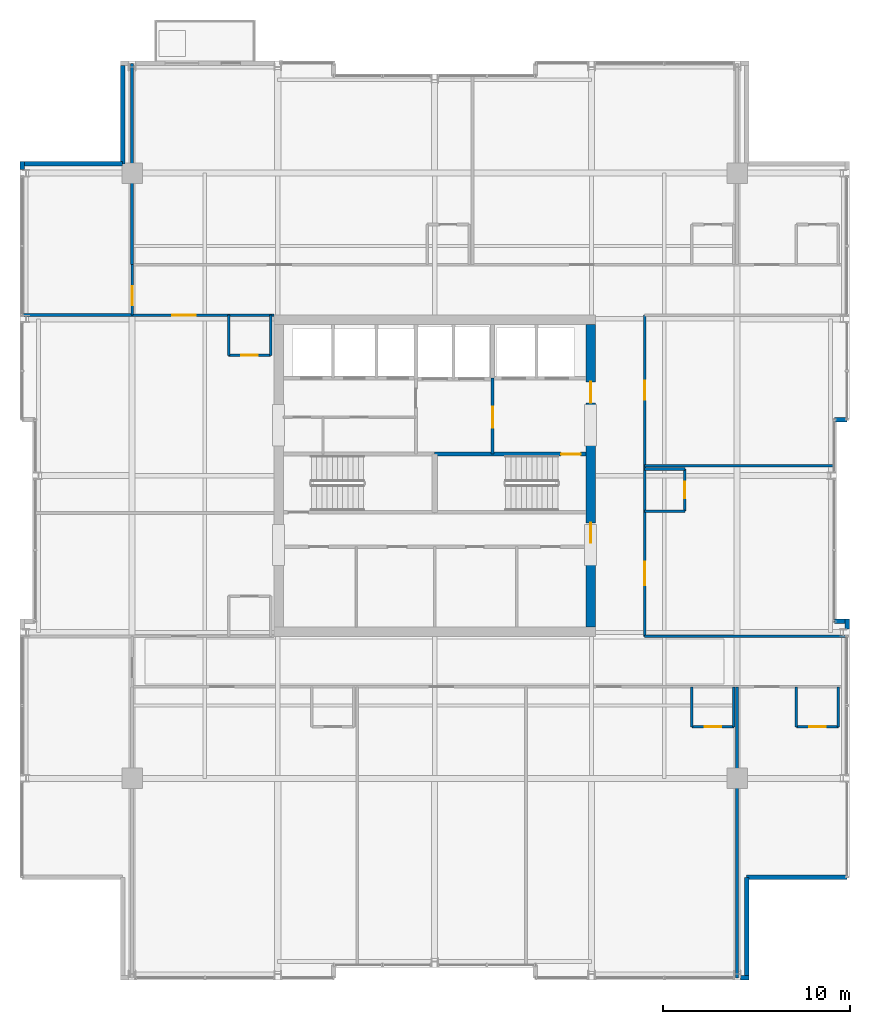
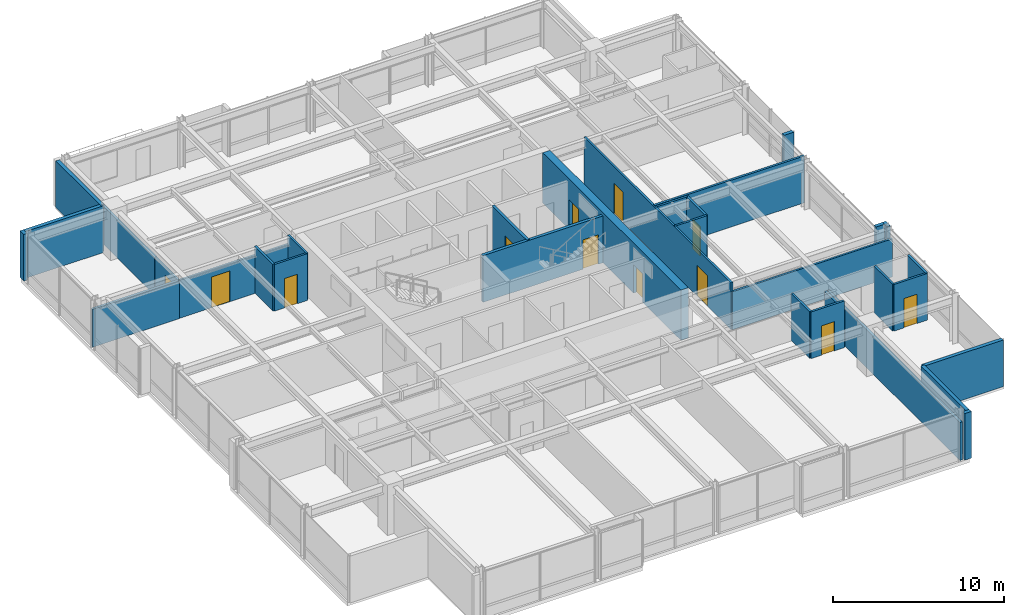
# One storey, part 26 of 30: 32 walls, 12 doors, 12 openings.
"""IFC4 building model written with IfcOpenShell, lengths in metres."""

import ifcopenshell
import ifcopenshell.guid

model = None  # the IFC model being written
_history = None  # IfcOwnerHistory: only IFC2X3 demands one
_inside = {}  # id of a spatial element -> (the spatial element, [elements in it])
_under = {}  # id of a project, library or spatial element -> (it, [spatial elements below it])
_declared = {}  # id of a project -> (the project, [libraries it declares])
_typed = {}  # id of a type object -> (the type object, [elements of that type])
_made_of = {}  # id of a material, layer set ... -> (it, [elements and type objects made of it])


def new_model(schema):
    """Start an empty IFC model of exactly this schema.

    Asked for "IFC4X3", IfcOpenShell would pick the latest addendum, in which some entities
    have other attributes; the version numbers below select the first issue.
    IFC2X3 requires an IfcOwnerHistory on every rooted entity: one is made here for all.
    """
    global model, _history
    if schema == "IFC4X3":
        model = ifcopenshell.file(schema_version=(4, 3, 0, 0))
    else:
        model = ifcopenshell.file(schema=schema)
    _inside.clear()
    _under.clear()
    _declared.clear()
    _typed.clear()
    _made_of.clear()
    _history = None
    if model.schema == "IFC2X3":
        org = make("IfcOrganization", Name="unknown")
        user = make(
            "IfcPersonAndOrganization",
            ThePerson=make("IfcPerson", FamilyName="unknown"),
            TheOrganization=org,
        )
        app = make(
            "IfcApplication",
            ApplicationDeveloper=org,
            Version="unknown",
            ApplicationFullName="unknown",
            ApplicationIdentifier="unknown",
        )
        _history = make(
            "IfcOwnerHistory",
            OwningUser=user,
            OwningApplication=app,
            ChangeAction="ADDED",
            CreationDate=0,
        )
    return model


def make(cls, **values):
    """One entity of the class cls with the attributes given. An attribute that is None is left unset."""
    return model.create_entity(
        cls, **{name: value for name, value in values.items() if value is not None}
    )


def rooted(cls, **values):
    """An entity with a GlobalId (a new one), such as an element, a storey or a relation."""
    return make(cls, GlobalId=ifcopenshell.guid.new(), OwnerHistory=_history, **values)


def si_unit(unit_type, name, prefix=None):
    """IfcSIUnit, for example si_unit("LENGTHUNIT", "METRE", prefix="MILLI")."""
    return make("IfcSIUnit", UnitType=unit_type, Prefix=prefix, Name=name)


def assignment(units):
    """IfcUnitAssignment: the units of a project."""
    return None if units is None else make("IfcUnitAssignment", Units=units)


def point(xyz):
    """IfcCartesianPoint."""
    return None if xyz is None else make("IfcCartesianPoint", Coordinates=xyz)


def direction(xyz):
    """IfcDirection."""
    return None if xyz is None else make("IfcDirection", DirectionRatios=xyz)


def frame(location, z_axis=None, x_axis=None):
    """IfcAxis2Placement3D, a coordinate frame: its origin and axes. An axis left out is left unset."""
    return make(
        "IfcAxis2Placement3D",
        Location=point(location),
        Axis=direction(z_axis),
        RefDirection=direction(x_axis),
    )


def frame_2d(location, x_axis=None):
    """IfcAxis2Placement2D, a coordinate frame in the plane: its origin and x axis."""
    return make(
        "IfcAxis2Placement2D", Location=point(location), RefDirection=direction(x_axis)
    )


def origin():
    """The frame at (0, 0, 0) with its axes left unset."""
    return frame((0.0, 0.0, 0.0))


def place(relative_to, where):
    """IfcLocalPlacement: puts the frame where relative to a parent placement (None: the world)."""
    return make(
        "IfcLocalPlacement", PlacementRelTo=relative_to, RelativePlacement=where
    )


def context(
    kind, dimensions, precision=None, world=None, true_north=None, identifier=None
):
    """IfcGeometricRepresentationContext, for example the 3D "Model" context."""
    return make(
        "IfcGeometricRepresentationContext",
        ContextIdentifier=identifier,
        ContextType=kind,
        CoordinateSpaceDimension=dimensions,
        Precision=precision,
        WorldCoordinateSystem=world,
        TrueNorth=true_north,
    )


def subcontext(parent, identifier, kind, view, scale=None):
    """IfcGeometricRepresentationSubContext, for example "Body" below "Model"."""
    return make(
        "IfcGeometricRepresentationSubContext",
        ContextIdentifier=identifier,
        ContextType=kind,
        ParentContext=parent,
        TargetScale=scale,
        TargetView=view,
    )


def project(units=None, contexts=None):
    """IfcProject with its units and contexts."""
    return rooted(
        "IfcProject",
        Name="project",
        RepresentationContexts=contexts,
        UnitsInContext=assignment(units),
    )


def spatial(cls, under=None, at=None, **own):
    """A site, building, storey or space (cls), placed at a placement, below another one or the project."""
    s = rooted(cls, ObjectPlacement=at, **own)
    if under is not None:
        _under.setdefault(under.id(), (under, []))[1].append(s)
    return s


def profile(cls, at=None, kind="AREA", **sizes):
    """A parametric profile (cls). Its sizes go by their IFC names, for example OverallWidth=200.0."""
    return make(cls, ProfileType=kind, Position=at, **sizes)


def rectangle(**sizes):
    """IfcRectangleProfileDef."""
    return profile("IfcRectangleProfileDef", **sizes)


def extrude(swept, where, along, depth):
    """IfcExtrudedAreaSolid: the profile swept, set in the frame where, extruded along a direction by depth."""
    return make(
        "IfcExtrudedAreaSolid",
        SweptArea=swept,
        Position=where,
        ExtrudedDirection=direction(along),
        Depth=depth,
    )


def shape(context_of_items, identifier, shape_type, items):
    """IfcShapeRepresentation: the items that make up one representation, for example the "Body"."""
    return make(
        "IfcShapeRepresentation",
        ContextOfItems=context_of_items,
        RepresentationIdentifier=identifier,
        RepresentationType=shape_type,
        Items=items,
    )


def material(Name=None, Category=None):
    """IfcMaterial."""
    return make("IfcMaterial", Name=Name, Category=Category)


def layer(
    of_material, thickness, ventilated=None, Name=None, Category=None, Priority=None
):
    """IfcMaterialLayer: one layer of a wall or slab, of a material (None: an air gap)."""
    return make(
        "IfcMaterialLayer",
        Material=of_material,
        LayerThickness=thickness,
        IsVentilated=ventilated,
        Name=Name,
        Category=Category,
        Priority=Priority,
    )


def layer_set(layers, Name=None):
    """IfcMaterialLayerSet."""
    return make("IfcMaterialLayerSet", MaterialLayers=layers, LayerSetName=Name)


def made_of(thing, what):
    """Note that an element or type object is made of a material, layer set ...; save() writes the relation."""
    if what is not None:
        _made_of.setdefault(what.id(), (what, []))[1].append(thing)
    return thing


def type_object(cls, material=None, **own):
    """A type object (cls), such as IfcWallType, which elements share."""
    return made_of(rooted(cls, **own), material)


def element(
    cls,
    number,
    at=None,
    inside=None,
    cuts=None,
    type_object=None,
    material=None,
    context=None,
    identifier="Body",
    shape_type=None,
    held_by="IfcProductDefinitionShape",
    body=None,
    shapes=None,
    **own,
):
    """One element of the class cls, such as IfcWall. Its Tag is "e" and its number.

    at: its placement. inside: the storey or other place that contains it. cuts: it is an
    opening in that element (IfcRelVoidsElement). A single representation is given by context,
    identifier, shape_type and body (its items); several are given by shapes. held_by: the class
    of the entity that holds the representations. save() writes the other relations.
    """
    e = rooted(cls, Tag="e%d" % number, ObjectPlacement=at, **own)
    if body is not None:
        shapes = [shape(context, identifier, shape_type, body)]
    if shapes is not None:
        e.Representation = make(held_by, Representations=shapes)
    if inside is not None:
        _inside.setdefault(inside.id(), (inside, []))[1].append(e)
    if cuts is not None:
        rooted(
            "IfcRelVoidsElement", RelatingBuildingElement=cuts, RelatedOpeningElement=e
        )
    if type_object is not None:
        _typed.setdefault(type_object.id(), (type_object, []))[1].append(e)
    return made_of(e, material)


def fill(opening, filler):
    """IfcRelFillsElement: the door or window that sits in an opening."""
    return rooted(
        "IfcRelFillsElement",
        RelatingOpeningElement=opening,
        RelatedBuildingElement=filler,
    )


def aggregate(whole, parts):
    """IfcRelAggregates: a whole, such as a stair, and the parts it consists of."""
    return rooted("IfcRelAggregates", RelatingObject=whole, RelatedObjects=parts)


def save(model, path):
    """Write the relations noted so far, then the file.

    IfcRelAggregates (storeys below a building ...), IfcRelContainedInSpatialStructure (elements
    in a storey), IfcRelDefinesByType, IfcRelAssociatesMaterial and IfcRelDeclares: one each for
    every whole, place, type object, material and project.
    """
    for whole, parts in _under.values():
        aggregate(whole, parts)
    for where, things in _inside.values():
        rooted(
            "IfcRelContainedInSpatialStructure",
            RelatedElements=things,
            RelatingStructure=where,
        )
    for kind, things in _typed.values():
        rooted("IfcRelDefinesByType", RelatedObjects=things, RelatingType=kind)
    for what, things in _made_of.values():
        rooted("IfcRelAssociatesMaterial", RelatedObjects=things, RelatingMaterial=what)
    for by, libraries in _declared.values():
        rooted("IfcRelDeclares", RelatingContext=by, RelatedDefinitions=libraries)
    model.write(path)


model = new_model("IFC4")

# Units and contexts
model_context = context("Model", 3, precision=1e-05, world=origin(), true_north=direction((0.0, 1.0)))
body_context = subcontext(model_context, "Body", "Model", "MODEL_VIEW")
ifc_project = project(units=[si_unit("LENGTHUNIT", "METRE"), si_unit("AREAUNIT", "SQUARE_METRE"), si_unit("VOLUMEUNIT", "CUBIC_METRE"), si_unit("PLANEANGLEUNIT", "RADIAN"), si_unit("MASSUNIT", "GRAM", prefix="KILO")], contexts=[model_context])

# Site, building, storey
site_placement = place(None, origin())
site = spatial("IfcSite", under=ifc_project, at=site_placement, CompositionType="ELEMENT")
building_placement = place(site_placement, origin())
building = spatial("IfcBuilding", under=site, at=building_placement, Name="Drelvath Grand Hotel", CompositionType="ELEMENT")
storey_placement = place(building_placement, frame((0.0, 0.0, 215.89990234375)))
storey = spatial("IfcBuildingStorey", under=building, at=storey_placement, Name="L56", CompositionType="ELEMENT", Elevation=215.89990234375)

# Wall, opening, door
ifc_material_1 = material(Name="Concrete C40/50", Category="concrete")
ifc_layer_1 = layer(ifc_material_1, 0.199951171875)
ifc_layer_set_1 = layer_set([ifc_layer_1], Name="Concrete C40/50")
wall_type_1 = type_object("IfcWallType", Name="Core Shaft Fire Wall 200", PredefinedType="SOLIDWALL", material=ifc_layer_set_1)
wall_1_placement = place(storey_placement, frame((8.10009765625, 28.159912109375, 0.0), z_axis=(0.0, 0.0, 1.0), x_axis=(-1.0, 0.0, 0.0)))
wall_1 = element("IfcWall", 1, at=wall_1_placement, inside=storey, type_object=wall_type_1, Name="L56 Stair ST-2 North Wall", PredefinedType="SOLIDWALL", context=body_context, shape_type="SweptSolid", body=[
    extrude(rectangle(XDim=8.10009765625, YDim=0.199951171875, at=frame_2d((4.050048828125, 0.0))), origin(), (0.0, 0.0, 1.0), 3.340087890625),
])
opening_1_placement = place(wall_1_placement, frame((0.280029296875, 0.0, 0.0)))
opening_1 = element("IfcOpeningElement", 2, at=opening_1_placement, cuts=wall_1, Name="Opening D-T4G2-002", PredefinedType="OPENING", context=body_context, shape_type="SweptSolid", body=[
    extrude(rectangle(XDim=1.050048828125, YDim=2.10009765625, at=frame_2d((0.52490234375, 1.050048828125))), frame((0.0, 0.10986328125, 0.0), z_axis=(0.0, -1.0, 0.0), x_axis=(1.0, 0.0, 0.0)), (0.0, 0.0, 1.0), 0.219970703125),
])
ifc_material_2 = material(Name="Painted Steel S275", Category="steel")
door_type_1 = type_object("IfcDoorType", Name="Tower Stairwell Fire Door 1050x2100", OperationType="NOTDEFINED", PredefinedType="DOOR", material=ifc_material_2)
door_1_placement = place(opening_1_placement, origin())
door_1 = element("IfcDoor", 3, at=door_1_placement, inside=storey, type_object=door_type_1, Name="L56 Exit Stair ST-2 Door", OperationType="SINGLE_SWING_LEFT", OverallHeight=2.10009765625, OverallWidth=1.050048828125, PredefinedType="DOOR", context=body_context, shape_type="SweptSolid", body=[
    extrude(rectangle(XDim=1.050048828125, YDim=2.10009765625, at=frame_2d((0.52490234375, 1.050048828125))), frame((0.0, 0.02490234375, 0.0), z_axis=(0.0, -1.0, 0.0), x_axis=(1.0, 0.0, 0.0)), (0.0, 0.0, 1.0), 0.050048828125),
])
fill(opening_1, door_1)

# Wall
ifc_material_3 = material(Name="Gypsum Fireboard Partition")
ifc_layer_2 = layer(ifc_material_3, 0.135009765625)
ifc_layer_set_2 = layer_set([ifc_layer_2], Name="Gypsum Fireboard Partition")
wall_type_2 = type_object("IfcWallType", Name="Corridor Fire Barrier Wall 135", PredefinedType="PARTITIONING", material=ifc_layer_set_2)
wall_2_placement = place(storey_placement, frame((11.25, 18.39990234375, 0.0), z_axis=(0.0, 0.0, 1.0), x_axis=(1.0, 0.0, 0.0)))
element("IfcWall", 4, at=wall_2_placement, inside=storey, type_object=wall_type_2, Name="L56 South Gallery Inner East Wall", PredefinedType="PARTITIONING", context=body_context, shape_type="SweptSolid", body=[
    extrude(rectangle(XDim=10.830078125, YDim=0.135009765625, at=frame_2d((5.4150390625, 0.0))), origin(), (0.0, 0.0, 1.0), 2.717529296875),
])

# Wall, opening, door
wall_3_placement = place(storey_placement, frame((-16.199951171875, 35.60009765625, 0.0), z_axis=(0.0, 0.0, 1.0), x_axis=(1.0, 0.0, 0.0)))
wall_3 = element("IfcWall", 5, at=wall_3_placement, inside=storey, type_object=wall_type_2, Name="L56 North Gallery Inner West Wall", PredefinedType="PARTITIONING", context=body_context, shape_type="SweptSolid", body=[
    extrude(rectangle(XDim=7.599853515625, YDim=0.135009765625, at=frame_2d((3.7998046875, 0.0))), origin(), (0.0, 0.0, 1.0), 2.717529296875),
])
opening_2_placement = place(wall_3_placement, frame((2.155029296875, 0.0, 0.0)))
opening_2 = element("IfcOpeningElement", 6, at=opening_2_placement, cuts=wall_3, Name="Opening D-T4G2-041", PredefinedType="OPENING", context=body_context, shape_type="SweptSolid", body=[
    extrude(rectangle(XDim=1.260009765625, YDim=2.199951171875, at=frame_2d((0.6298828125, 1.10009765625))), frame((0.0, 0.077392578125, 0.0), z_axis=(0.0, -1.0, 0.0), x_axis=(1.0, 0.0, 0.0)), (0.0, 0.0, 1.0), 0.155029296875),
])
ifc_material_4 = material(Name="Hardwood Walnut Timber", Category="wood")
door_type_2 = type_object("IfcDoorType", Name="Suite Entrance Fire Door 1260x2200", OperationType="NOTDEFINED", PredefinedType="DOOR", material=ifc_material_4)
door_2_placement = place(opening_2_placement, origin())
door_2 = element("IfcDoor", 7, at=door_2_placement, inside=storey, type_object=door_type_2, Name="L56 Diplomatic Suite Entry Door", OperationType="SINGLE_SWING_RIGHT", OverallHeight=2.199951171875, OverallWidth=1.260009765625, PredefinedType="DOOR", context=body_context, shape_type="SweptSolid", body=[
    extrude(rectangle(XDim=1.260009765625, YDim=2.199951171875, at=frame_2d((0.6298828125, 1.10009765625))), frame((0.0, 0.02490234375, 0.0), z_axis=(0.0, -1.0, 0.0), x_axis=(1.0, 0.0, 0.0)), (0.0, 0.0, 1.0), 0.050048828125),
])
fill(opening_2, door_2)

# Wall, openings, doors
wall_4_placement = place(storey_placement, frame((11.25, 18.39990234375, 0.0), z_axis=(0.0, 0.0, 1.0), x_axis=(0.0, 1.0, 0.0)))
wall_4 = element("IfcWall", 8, at=wall_4_placement, inside=storey, type_object=wall_type_2, Name="L56 East Gallery Link Wall", PredefinedType="PARTITIONING", context=body_context, shape_type="SweptSolid", body=[
    extrude(rectangle(XDim=17.2001953125, YDim=0.135009765625, at=frame_2d((8.60009765625, 0.0))), origin(), (0.0, 0.0, 1.0), 3.340087890625),
])
opening_3_placement = place(wall_4_placement, frame((2.723876953125, 0.0, 0.0)))
opening_3 = element("IfcOpeningElement", 9, at=opening_3_placement, cuts=wall_4, Name="Opening D-T4G2-036", PredefinedType="OPENING", context=body_context, shape_type="SweptSolid", body=[
    extrude(rectangle(XDim=1.260009765625, YDim=2.199951171875, at=frame_2d((0.6298828125, 1.10009765625))), frame((0.0, 0.077392578125, 0.0), z_axis=(0.0, -1.0, 0.0), x_axis=(1.0, 0.0, 0.0)), (0.0, 0.0, 1.0), 0.155029296875),
])
opening_4_placement = place(wall_4_placement, frame((12.65869140625, 0.0, 0.0)))
opening_4 = element("IfcOpeningElement", 10, at=opening_4_placement, cuts=wall_4, Name="Opening D-T4G2-037", PredefinedType="OPENING", context=body_context, shape_type="SweptSolid", body=[
    extrude(rectangle(XDim=1.02001953125, YDim=2.14990234375, at=frame_2d((0.510009765625, 1.074951171875))), frame((0.0, 0.077392578125, 0.0), z_axis=(0.0, -1.0, 0.0), x_axis=(1.0, 0.0, 0.0)), (0.0, 0.0, 1.0), 0.155029296875),
])
door_type_3 = type_object("IfcDoorType", Name="Amenity Meeting Fire Door 1020x2150", OperationType="NOTDEFINED", PredefinedType="DOOR", material=ifc_material_4)
door_3_placement = place(opening_4_placement, origin())
door_3 = element("IfcDoor", 11, at=door_3_placement, inside=storey, type_object=door_type_3, Name="L56 Protocol Administration Office Entry Door", OperationType="SINGLE_SWING_RIGHT", OverallHeight=2.14990234375, OverallWidth=1.02001953125, PredefinedType="DOOR", context=body_context, shape_type="SweptSolid", body=[
    extrude(rectangle(XDim=1.02001953125, YDim=2.14990234375, at=frame_2d((0.510009765625, 1.074951171875))), frame((0.0, 0.02490234375, 0.0), z_axis=(0.0, -1.0, 0.0), x_axis=(1.0, 0.0, 0.0)), (0.0, 0.0, 1.0), 0.050048828125),
])
fill(opening_4, door_3)
door_4_placement = place(opening_3_placement, origin())
door_4 = element("IfcDoor", 12, at=door_4_placement, inside=storey, type_object=door_type_2, Name="L56 Diplomatic Suite Entry Door", OperationType="SINGLE_SWING_LEFT", OverallHeight=2.199951171875, OverallWidth=1.260009765625, PredefinedType="DOOR", context=body_context, shape_type="SweptSolid", body=[
    extrude(rectangle(XDim=1.260009765625, YDim=2.199951171875, at=frame_2d((0.6298828125, 1.10009765625))), frame((0.0, 0.02490234375, 0.0), z_axis=(0.0, -1.0, 0.0), x_axis=(1.0, 0.0, 0.0)), (0.0, 0.0, 1.0), 0.050048828125),
])
fill(opening_3, door_4)

# Wall, opening, door
wall_5_placement = place(storey_placement, frame((-16.199951171875, 35.60009765625, 0.0), z_axis=(0.0, 0.0, 1.0), x_axis=(0.0, 1.0, 0.0)))
wall_5 = element("IfcWall", 13, at=wall_5_placement, inside=storey, type_object=wall_type_2, Name="L56 North Gallery West End", PredefinedType="PARTITIONING", context=body_context, shape_type="SweptSolid", body=[
    extrude(rectangle(XDim=2.699951171875, YDim=0.135009765625, at=frame_2d((1.35009765625, 0.0))), origin(), (0.0, 0.0, 1.0), 2.7138671875),
])
opening_5_placement = place(wall_5_placement, frame((0.52001953125, 0.0, 0.0)))
opening_5 = element("IfcOpeningElement", 14, at=opening_5_placement, cuts=wall_5, Name="Opening D-T4G2-021", PredefinedType="OPENING", context=body_context, shape_type="SweptSolid", body=[
    extrude(rectangle(XDim=1.02001953125, YDim=2.14990234375, at=frame_2d((0.510009765625, 1.074951171875))), frame((0.0, 0.077392578125, 0.0), z_axis=(0.0, -1.0, 0.0), x_axis=(1.0, 0.0, 0.0)), (0.0, 0.0, 1.0), 0.155029296875),
])
door_5_placement = place(opening_5_placement, origin())
door_5 = element("IfcDoor", 15, at=door_5_placement, inside=storey, type_object=door_type_3, Name="L56 Corner Panorama Lounge Door", OperationType="SINGLE_SWING_RIGHT", OverallHeight=2.14990234375, OverallWidth=1.02001953125, PredefinedType="DOOR", context=body_context, shape_type="SweptSolid", body=[
    extrude(rectangle(XDim=1.02001953125, YDim=2.14990234375, at=frame_2d((0.510009765625, 1.074951171875))), frame((0.0, 0.02490234375, 0.0), z_axis=(0.0, -1.0, 0.0), x_axis=(1.0, 0.0, 0.0)), (0.0, 0.0, 1.0), 0.050048828125),
])
fill(opening_5, door_5)

# Walls
ifc_material_5 = material(Name="Moisture-Resistant Gypsum Board")
ifc_layer_3 = layer(ifc_material_5, 0.139892578125)
ifc_layer_set_3 = layer_set([ifc_layer_3], Name="Moisture-Resistant Gypsum Board")
wall_type_3 = type_object("IfcWallType", Name="En-Suite Plumbing Wall 140", PredefinedType="PLUMBINGWALL", material=ifc_layer_set_3)
for number, where, z_axis, x_axis, name in (
    (16, (19.3701171875, 15.699951171875, 0.0), (0.0, 0.0, 1.0), (0.0, -1.0, 0.0), "L56 En-Suite Left Wall"),
    (17, (21.6201171875, 15.699951171875, 0.0), (0.0, 0.0, 1.0), (0.0, -1.0, 0.0), "L56 En-Suite Right Wall"),
):
    element("IfcWall", number, at=place(storey_placement, frame(where, z_axis=z_axis, x_axis=x_axis)), inside=storey, type_object=wall_type_3, Name=name, PredefinedType="PLUMBINGWALL", context=body_context, shape_type="SweptSolid", body=[
        extrude(rectangle(XDim=2.14990234375, YDim=0.139892578125, at=frame_2d((1.074951171875, 0.0))), origin(), (0.0, 0.0, 1.0), 3.340087890625),
    ])

# Wall, opening, door
wall_6_placement = place(storey_placement, frame((19.3701171875, 13.550048828125, 0.0), z_axis=(0.0, 0.0, 1.0), x_axis=(1.0, 0.0, 0.0)))
wall_6 = element("IfcWall", 18, at=wall_6_placement, inside=storey, type_object=wall_type_3, Name="L56 En-Suite Front Wall", PredefinedType="PLUMBINGWALL", context=body_context, shape_type="SweptSolid", body=[
    extrude(rectangle(XDim=2.25, YDim=0.139892578125, at=frame_2d((1.125, 0.0))), origin(), (0.0, 0.0, 1.0), 3.340087890625),
])
opening_6_placement = place(wall_6_placement, frame((0.68505859375, 0.0, 0.0)))
opening_6 = element("IfcOpeningElement", 19, at=opening_6_placement, cuts=wall_6, Name="Opening D-T4G2-022", PredefinedType="OPENING", context=body_context, shape_type="SweptSolid", body=[
    extrude(rectangle(XDim=0.8798828125, YDim=2.10009765625, at=frame_2d((0.43994140625, 1.050048828125))), frame((0.0, 0.079833984375, 0.0), z_axis=(0.0, -1.0, 0.0), x_axis=(1.0, 0.0, 0.0)), (0.0, 0.0, 1.0), 0.159912109375),
])
door_type_4 = type_object("IfcDoorType", Name="En-Suite Bathroom Door 880x2100", OperationType="NOTDEFINED", PredefinedType="DOOR", material=ifc_material_4)
door_6_placement = place(opening_6_placement, origin())
door_6 = element("IfcDoor", 20, at=door_6_placement, inside=storey, type_object=door_type_4, Name="L56 En-Suite Bathroom Door", OperationType="SINGLE_SWING_LEFT", OverallHeight=2.10009765625, OverallWidth=0.8798828125, PredefinedType="DOOR", context=body_context, shape_type="SweptSolid", body=[
    extrude(rectangle(XDim=0.8798828125, YDim=2.10009765625, at=frame_2d((0.43994140625, 1.050048828125))), frame((0.0, 0.02490234375, 0.0), z_axis=(0.0, -1.0, 0.0), x_axis=(1.0, 0.0, 0.0)), (0.0, 0.0, 1.0), 0.050048828125),
])
fill(opening_6, door_6)

# Walls
wall_7_placement = place(storey_placement, frame((13.77001953125, 15.699951171875, 0.0), z_axis=(0.0, 0.0, 1.0), x_axis=(0.0, -1.0, 0.0)))
element("IfcWall", 21, at=wall_7_placement, inside=storey, type_object=wall_type_3, Name="L56 En-Suite Left Wall", PredefinedType="PLUMBINGWALL", context=body_context, shape_type="SweptSolid", body=[
    extrude(rectangle(XDim=2.14990234375, YDim=0.139892578125, at=frame_2d((1.074951171875, 0.0))), origin(), (0.0, 0.0, 1.0), 3.340087890625),
])
wall_8_placement = place(storey_placement, frame((16.02001953125, 15.699951171875, 0.0), z_axis=(0.0, 0.0, 1.0), x_axis=(0.0, -1.0, 0.0)))
element("IfcWall", 22, at=wall_8_placement, inside=storey, type_object=wall_type_3, Name="L56 En-Suite Right Wall", PredefinedType="PLUMBINGWALL", context=body_context, shape_type="SweptSolid", body=[
    extrude(rectangle(XDim=2.14990234375, YDim=0.139892578125, at=frame_2d((1.074951171875, 0.0))), origin(), (0.0, 0.0, 1.0), 2.7138671875),
])

# Wall, opening, door
wall_9_placement = place(storey_placement, frame((13.77001953125, 13.550048828125, 0.0), z_axis=(0.0, 0.0, 1.0), x_axis=(1.0, 0.0, 0.0)))
wall_9 = element("IfcWall", 23, at=wall_9_placement, inside=storey, type_object=wall_type_3, Name="L56 En-Suite Front Wall", PredefinedType="PLUMBINGWALL", context=body_context, shape_type="SweptSolid", body=[
    extrude(rectangle(XDim=2.25, YDim=0.139892578125, at=frame_2d((1.125, 0.0))), origin(), (0.0, 0.0, 1.0), 3.340087890625),
])
opening_7_placement = place(wall_9_placement, frame((0.68505859375, 0.0, 0.0)))
opening_7 = element("IfcOpeningElement", 24, at=opening_7_placement, cuts=wall_9, Name="Opening D-T4G2-029", PredefinedType="OPENING", context=body_context, shape_type="SweptSolid", body=[
    extrude(rectangle(XDim=0.8798828125, YDim=2.10009765625, at=frame_2d((0.43994140625, 1.050048828125))), frame((0.0, 0.079833984375, 0.0), z_axis=(0.0, -1.0, 0.0), x_axis=(1.0, 0.0, 0.0)), (0.0, 0.0, 1.0), 0.159912109375),
])
door_7_placement = place(opening_7_placement, origin())
door_7 = element("IfcDoor", 25, at=door_7_placement, inside=storey, type_object=door_type_4, Name="L56 En-Suite Bathroom Door", OperationType="SINGLE_SWING_RIGHT", OverallHeight=2.10009765625, OverallWidth=0.8798828125, PredefinedType="DOOR", context=body_context, shape_type="SweptSolid", body=[
    extrude(rectangle(XDim=0.8798828125, YDim=2.10009765625, at=frame_2d((0.43994140625, 1.050048828125))), frame((0.0, 0.02490234375, 0.0), z_axis=(0.0, -1.0, 0.0), x_axis=(1.0, 0.0, 0.0)), (0.0, 0.0, 1.0), 0.050048828125),
])
fill(opening_7, door_7)

# Walls
for number, where, z_axis, x_axis, name in (
    (26, (11.25, 25.107421875, 0.0), (0.0, 0.0, 1.0), (1.0, 0.0, 0.0), "L56 En-Suite Left Wall"),
    (27, (11.25, 27.357421875, 0.0), (0.0, 0.0, 1.0), (1.0, 0.0, 0.0), "L56 En-Suite Right Wall"),
):
    element("IfcWall", number, at=place(storey_placement, frame(where, z_axis=z_axis, x_axis=x_axis)), inside=storey, type_object=wall_type_3, Name=name, PredefinedType="PLUMBINGWALL", context=body_context, shape_type="SweptSolid", body=[
        extrude(rectangle(XDim=2.14990234375, YDim=0.139892578125, at=frame_2d((1.074951171875, 0.0))), origin(), (0.0, 0.0, 1.0), 3.340087890625),
    ])

# Wall, opening, door
wall_10_placement = place(storey_placement, frame((13.39990234375, 25.107421875, 0.0), z_axis=(0.0, 0.0, 1.0), x_axis=(0.0, 1.0, 0.0)))
wall_10 = element("IfcWall", 28, at=wall_10_placement, inside=storey, type_object=wall_type_3, Name="L56 En-Suite Front Wall", PredefinedType="PLUMBINGWALL", context=body_context, shape_type="SweptSolid", body=[
    extrude(rectangle(XDim=2.25, YDim=0.139892578125, at=frame_2d((1.125, 0.0))), origin(), (0.0, 0.0, 1.0), 3.340087890625),
])
opening_8_placement = place(wall_10_placement, frame((0.68505859375, 0.0, 0.0)))
opening_8 = element("IfcOpeningElement", 29, at=opening_8_placement, cuts=wall_10, Name="Opening D-T4G2-035", PredefinedType="OPENING", context=body_context, shape_type="SweptSolid", body=[
    extrude(rectangle(XDim=0.8798828125, YDim=2.10009765625, at=frame_2d((0.43994140625, 1.050048828125))), frame((0.0, 0.079833984375, 0.0), z_axis=(0.0, -1.0, 0.0), x_axis=(1.0, 0.0, 0.0)), (0.0, 0.0, 1.0), 0.159912109375),
])
door_8_placement = place(opening_8_placement, origin())
door_8 = element("IfcDoor", 30, at=door_8_placement, inside=storey, type_object=door_type_4, Name="L56 En-Suite Bathroom Door", OperationType="SINGLE_SWING_RIGHT", OverallHeight=2.10009765625, OverallWidth=0.8798828125, PredefinedType="DOOR", context=body_context, shape_type="SweptSolid", body=[
    extrude(rectangle(XDim=0.8798828125, YDim=2.10009765625, at=frame_2d((0.43994140625, 1.050048828125))), frame((0.0, 0.02490234375, 0.0), z_axis=(0.0, -1.0, 0.0), x_axis=(1.0, 0.0, 0.0)), (0.0, 0.0, 1.0), 0.050048828125),
])
fill(opening_8, door_8)

# Walls
for number, where, z_axis, x_axis, name in (
    (31, (-11.030029296875, 35.60009765625, 0.0), (0.0, 0.0, 1.0), (0.0, -1.0, 0.0), "L56 En-Suite Left Wall"),
    (32, (-8.780029296875, 35.60009765625, 0.0), (0.0, 0.0, 1.0), (0.0, -1.0, 0.0), "L56 En-Suite Right Wall"),
):
    element("IfcWall", number, at=place(storey_placement, frame(where, z_axis=z_axis, x_axis=x_axis)), inside=storey, type_object=wall_type_3, Name=name, PredefinedType="PLUMBINGWALL", context=body_context, shape_type="SweptSolid", body=[
        extrude(rectangle(XDim=2.150146484375, YDim=0.139892578125, at=frame_2d((1.0751953125, 0.0))), origin(), (0.0, 0.0, 1.0), 3.340087890625),
    ])

# Wall, opening, door
wall_11_placement = place(storey_placement, frame((-11.030029296875, 33.449951171875, 0.0), z_axis=(0.0, 0.0, 1.0), x_axis=(1.0, 0.0, 0.0)))
wall_11 = element("IfcWall", 33, at=wall_11_placement, inside=storey, type_object=wall_type_3, Name="L56 En-Suite Front Wall", PredefinedType="PLUMBINGWALL", context=body_context, shape_type="SweptSolid", body=[
    extrude(rectangle(XDim=2.25, YDim=0.139892578125, at=frame_2d((1.125, 0.0))), origin(), (0.0, 0.0, 1.0), 3.340087890625),
])
opening_9_placement = place(wall_11_placement, frame((0.68505859375, 0.0, 0.0)))
opening_9 = element("IfcOpeningElement", 34, at=opening_9_placement, cuts=wall_11, Name="Opening D-T4G2-040", PredefinedType="OPENING", context=body_context, shape_type="SweptSolid", body=[
    extrude(rectangle(XDim=0.8798828125, YDim=2.10009765625, at=frame_2d((0.43994140625, 1.050048828125))), frame((0.0, 0.079833984375, 0.0), z_axis=(0.0, -1.0, 0.0), x_axis=(1.0, 0.0, 0.0)), (0.0, 0.0, 1.0), 0.159912109375),
])
door_9_placement = place(opening_9_placement, origin())
door_9 = element("IfcDoor", 35, at=door_9_placement, inside=storey, type_object=door_type_4, Name="L56 En-Suite Bathroom Door", OperationType="SINGLE_SWING_LEFT", OverallHeight=2.10009765625, OverallWidth=0.8798828125, PredefinedType="DOOR", context=body_context, shape_type="SweptSolid", body=[
    extrude(rectangle(XDim=0.8798828125, YDim=2.10009765625, at=frame_2d((0.43994140625, 1.050048828125))), frame((0.0, 0.02490234375, 0.0), z_axis=(0.0, -1.0, 0.0), x_axis=(1.0, 0.0, 0.0)), (0.0, 0.0, 1.0), 0.050048828125),
])
fill(opening_9, door_9)

ifc_layer_4 = layer(ifc_material_3, 0.179931640625)
ifc_layer_set_4 = layer_set([ifc_layer_4], Name="Gypsum Fireboard Partition")
wall_type_4 = type_object("IfcWallType", Name="FSAE Smoke Lobby Fire Wall 180", PredefinedType="SOLIDWALL", material=ifc_layer_set_4)
wall_12_placement = place(storey_placement, frame((3.10009765625, 28.159912109375, 0.0), z_axis=(0.0, 0.0, 1.0), x_axis=(0.0, 1.0, 0.0)))
wall_12 = element("IfcWall", 36, at=wall_12_placement, inside=storey, type_object=wall_type_4, Name="L56 FSAE Smoke Lobby West Wall", PredefinedType="SOLIDWALL", context=body_context, shape_type="SweptSolid", body=[
    extrude(rectangle(XDim=4.06005859375, YDim=0.179931640625, at=frame_2d((2.030029296875, 0.0))), origin(), (0.0, 0.0, 1.0), 3.340087890625),
])
opening_10_placement = place(wall_12_placement, frame((1.39990234375, 0.0, 0.0)))
opening_10 = element("IfcOpeningElement", 37, at=opening_10_placement, cuts=wall_12, Name="Opening D-T4G2-005", PredefinedType="OPENING", context=body_context, shape_type="SweptSolid", body=[
    extrude(rectangle(XDim=1.1201171875, YDim=2.10009765625, at=frame_2d((0.56005859375, 1.050048828125))), frame((0.0, 0.099853515625, 0.0), z_axis=(0.0, -1.0, 0.0), x_axis=(1.0, 0.0, 0.0)), (0.0, 0.0, 1.0), 0.199951171875),
])
door_type_5 = type_object("IfcDoorType", Name="FSAE Smoke Lobby Fire Door 1120x2100", OperationType="NOTDEFINED", PredefinedType="DOOR", material=ifc_material_2)
door_10_placement = place(opening_10_placement, origin())
door_10 = element("IfcDoor", 38, at=door_10_placement, inside=storey, type_object=door_type_5, Name="L56 FSAE Lobby Service Vestibule Door", OperationType="SINGLE_SWING_RIGHT", OverallHeight=2.10009765625, OverallWidth=1.1201171875, PredefinedType="DOOR", context=body_context, shape_type="SweptSolid", body=[
    extrude(rectangle(XDim=1.1201171875, YDim=2.10009765625, at=frame_2d((0.56005859375, 1.050048828125))), frame((0.0, 0.02490234375, 0.0), z_axis=(0.0, -1.0, 0.0), x_axis=(1.0, 0.0, 0.0)), (0.0, 0.0, 1.0), 0.050048828125),
])
fill(opening_10, door_10)

# Walls
ifc_material_6 = material(Name="Gypsum Acoustic Partition")
ifc_layer_5 = layer(ifc_material_6, 0.14990234375)
ifc_layer_set_5 = layer_set([ifc_layer_5], Name="Gypsum Acoustic Partition")
wall_type_5 = type_object("IfcWallType", Name="Guestroom Demising Wall 150", PredefinedType="PARTITIONING", material=ifc_layer_set_5)
wall_13_placement = place(storey_placement, frame((11.25, 27.53759765625, 0.0), z_axis=(0.0, 0.0, 1.0), x_axis=(1.0, 0.0, 0.0)))
element("IfcWall", 39, at=wall_13_placement, inside=storey, type_object=wall_type_5, Name="L56 East Demising 1", PredefinedType="PARTITIONING", context=body_context, shape_type="SweptSolid", body=[
    extrude(rectangle(XDim=10.14990234375, YDim=0.14990234375, at=frame_2d((5.074951171875, 0.0))), origin(), (0.0, 0.0, 1.0), 3.340087890625),
])
ifc_layer_6 = layer(ifc_material_6, 0.1650390625)
ifc_layer_set_6 = layer_set([ifc_layer_6], Name="Gypsum Acoustic Partition")
wall_type_6 = type_object("IfcWallType", Name="Suite Demising Wall 165", PredefinedType="PARTITIONING", material=ifc_layer_set_6)
wall_14_placement = place(storey_placement, frame((16.199951171875, 0.1201171875, 0.0), z_axis=(0.0, 0.0, 1.0), x_axis=(0.0, 1.0, 0.0)))
element("IfcWall", 40, at=wall_14_placement, inside=storey, type_object=wall_type_6, Name="L56 SE Suite Wall", PredefinedType="PARTITIONING", context=body_context, shape_type="SweptSolid", body=[
    extrude(rectangle(XDim=15.579833984375, YDim=0.1650390625, at=frame_2d((7.7900390625, 0.0))), origin(), (0.0, 0.0, 1.0), 2.7138671875),
])
wall_15_placement = place(storey_placement, frame((-16.199951171875, 38.300048828125, 0.0), z_axis=(0.0, 0.0, 1.0), x_axis=(0.0, 1.0, 0.0)))
element("IfcWall", 41, at=wall_15_placement, inside=storey, type_object=wall_type_6, Name="L56 NW Suite Wall", PredefinedType="PARTITIONING", context=body_context, shape_type="SweptSolid", body=[
    extrude(rectangle(XDim=10.780029296875, YDim=0.1650390625, at=frame_2d((5.39013671875, 0.0))), origin(), (0.0, 0.0, 1.0), 2.7138671875),
])
wall_16_placement = place(storey_placement, frame((-22.080078125, 35.60009765625, 0.0), z_axis=(0.0, 0.0, 1.0), x_axis=(1.0, 0.0, 0.0)))
element("IfcWall", 42, at=wall_16_placement, inside=storey, type_object=wall_type_6, Name="L56 NW Corner South Wall", PredefinedType="PARTITIONING", context=body_context, shape_type="SweptSolid", body=[
    extrude(rectangle(XDim=5.880126953125, YDim=0.1650390625, at=frame_2d((2.93994140625, 0.0))), origin(), (0.0, 0.0, 1.0), 2.7138671875),
])
ifc_material_7 = material(Name="Pale-Metal Insulated Aluminium Spandrel Assembly", Category="aluminium")
ifc_layer_7 = layer(ifc_material_7, 0.239990234375)
ifc_layer_set_7 = layer_set([ifc_layer_7], Name="Pale-Metal Insulated Aluminium Spandrel Assembly")
wall_type_7 = type_object("IfcWallType", Name="Tower Insulated Metal Spandrel Closure Wall 240", PredefinedType="STANDARD", material=ifc_layer_set_7)
wall_17_placement = place(storey_placement, frame((-22.080078125, 43.38525390625, 0.0), z_axis=(0.0, 0.0, 1.0), x_axis=(0.0, 1.0, 0.0)))
element("IfcWall", 43, at=wall_17_placement, inside=storey, type_object=wall_type_7, Name="L56 Corner Pier Spandrel Wall WN3", PredefinedType="STANDARD", context=body_context, shape_type="SweptSolid", body=[
    extrude(rectangle(XDim=0.434814453125, YDim=0.239990234375, at=frame_2d((0.21728515625, 0.0))), origin(), (0.0, 0.0, 1.0), 3.340087890625),
])
wall_18_placement = place(storey_placement, frame((22.080078125, 19.320068359375, 0.0), z_axis=(0.0, 0.0, 1.0), x_axis=(0.0, -1.0, 0.0)))
element("IfcWall", 44, at=wall_18_placement, inside=storey, type_object=wall_type_7, Name="L56 Corner Pier Spandrel Wall ES3", PredefinedType="STANDARD", context=body_context, shape_type="SweptSolid", body=[
    extrude(rectangle(XDim=0.53466796875, YDim=0.239990234375, at=frame_2d((0.267333984375, 0.0))), origin(), (0.0, 0.0, 1.0), 3.340087890625),
])
wall_19_placement = place(storey_placement, frame((16.820068359375, 0.1201171875, 0.0), z_axis=(0.0, 0.0, 1.0), x_axis=(-1.0, 0.0, 0.0)))
element("IfcWall", 45, at=wall_19_placement, inside=storey, type_object=wall_type_7, Name="L56 Corner Pier Spandrel Wall SE3", PredefinedType="STANDARD", context=body_context, shape_type="SweptSolid", body=[
    extrude(rectangle(XDim=0.434814453125, YDim=0.239990234375, at=frame_2d((0.21728515625, 0.0))), origin(), (0.0, 0.0, 1.0), 3.340087890625),
])
for number, where, z_axis, x_axis, name in (
    (46, (-21.9599609375, 43.699951171875, 0.0), (0.0, 0.0, 1.0), (1.0, 0.0, 0.0), "L56 Notched Corner Return Spandrel Wall CNW1"),
    (47, (-16.699951171875, 43.699951171875, 0.0), (0.0, 0.0, 1.0), (0.0, 1.0, 0.0), "L56 Notched Corner Return Spandrel Wall CNW2"),
):
    element("IfcWall", number, at=place(storey_placement, frame(where, z_axis=z_axis, x_axis=x_axis)), inside=storey, type_object=wall_type_7, Name=name, PredefinedType="STANDARD", context=body_context, shape_type="SweptSolid", body=[
        extrude(rectangle(XDim=5.260009765625, YDim=0.239990234375, at=frame_2d((2.6298828125, 0.0))), origin(), (0.0, 0.0, 1.0), 3.340087890625),
    ])
wall_20_placement = place(storey_placement, frame((22.080078125, 5.5, 0.0), z_axis=(0.0, 0.0, 1.0), x_axis=(-1.0, 0.0, 0.0)))
element("IfcWall", 48, at=wall_20_placement, inside=storey, type_object=wall_type_7, Name="L56 Notched Corner Return Spandrel Wall CSE1", PredefinedType="STANDARD", context=body_context, shape_type="SweptSolid", body=[
    extrude(rectangle(XDim=5.380126953125, YDim=0.239990234375, at=frame_2d((2.68994140625, 0.0))), origin(), (0.0, 0.0, 1.0), 3.340087890625),
])
wall_21_placement = place(storey_placement, frame((16.699951171875, 5.5, 0.0), z_axis=(0.0, 0.0, 1.0), x_axis=(0.0, -1.0, 0.0)))
element("IfcWall", 49, at=wall_21_placement, inside=storey, type_object=wall_type_7, Name="L56 Notched Corner Return Spandrel Wall CSE2", PredefinedType="STANDARD", context=body_context, shape_type="SweptSolid", body=[
    extrude(rectangle(XDim=5.260009765625, YDim=0.239990234375, at=frame_2d((2.6298828125, 0.0))), origin(), (0.0, 0.0, 1.0), 3.340087890625),
])
wall_22_placement = place(storey_placement, frame((22.080078125, 30.0, 0.0), z_axis=(0.0, 0.0, 1.0), x_axis=(-1.0, 0.0, 0.0)))
element("IfcWall", 50, at=wall_22_placement, inside=storey, type_object=wall_type_7, Name="L56 Notched Corner Return Spandrel Wall RE1", PredefinedType="STANDARD", context=body_context, shape_type="SweptSolid", body=[
    extrude(rectangle(XDim=0.68017578125, YDim=0.239990234375, at=frame_2d((0.340087890625, 0.0))), origin(), (0.0, 0.0, 1.0), 3.340087890625),
])
wall_23_placement = place(storey_placement, frame((21.39990234375, 19.199951171875, 0.0), z_axis=(0.0, 0.0, 1.0), x_axis=(1.0, 0.0, 0.0)))
element("IfcWall", 51, at=wall_23_placement, inside=storey, type_object=wall_type_7, Name="L56 Notched Corner Return Spandrel Wall RE2", PredefinedType="STANDARD", context=body_context, shape_type="SweptSolid", body=[
    extrude(rectangle(XDim=0.56005859375, YDim=0.239990234375, at=frame_2d((0.280029296875, 0.0))), origin(), (0.0, 0.0, 1.0), 3.340087890625),
])

# Wall, openings, doors
ifc_material_8 = material(Name="Concrete f'c 55 MPa", Category="concrete")
ifc_layer_8 = layer(ifc_material_8, 0.5)
ifc_layer_set_8 = layer_set([ifc_layer_8], Name="Concrete f'c 55 MPa")
wall_type_8 = type_object("IfcWallType", Name="Upper Core RC Shear Wall 500", PredefinedType="SHEAR", material=ifc_layer_set_8)
wall_24_placement = place(storey_placement, frame((8.35009765625, 35.10009765625, 0.0), z_axis=(0.0, 0.0, 1.0), x_axis=(0.0, -1.0, 0.0)))
wall_24 = element("IfcWall", 52, at=wall_24_placement, inside=storey, type_object=wall_type_8, Name="L56 Central Core Shear Wall E", PredefinedType="SHEAR", context=body_context, shape_type="SweptSolid", body=[
    extrude(rectangle(XDim=16.2001953125, YDim=0.5, at=frame_2d((8.10009765625, 0.0))), origin(), (0.0, 0.0, 1.0), 3.60009765625),
])
opening_11_placement = place(wall_24_placement, frame((3.080078125, 0.0, 0.0)))
opening_11 = element("IfcOpeningElement", 53, at=opening_11_placement, cuts=wall_24, Name="Opening D-T4G2-006", PredefinedType="OPENING", context=body_context, shape_type="SweptSolid", body=[
    extrude(rectangle(XDim=1.1201171875, YDim=2.10009765625, at=frame_2d((0.56005859375, 1.050048828125))), frame((0.0, 0.260009765625, 0.0), z_axis=(0.0, -1.0, 0.0), x_axis=(1.0, 0.0, 0.0)), (0.0, 0.0, 1.0), 0.52001953125),
])
opening_12_placement = place(wall_24_placement, frame((10.6201171875, 0.0, 0.0)))
opening_12 = element("IfcOpeningElement", 54, at=opening_12_placement, cuts=wall_24, Name="Opening D-T4G2-015", PredefinedType="OPENING", context=body_context, shape_type="SweptSolid", body=[
    extrude(rectangle(XDim=1.080078125, YDim=2.0400390625, at=frame_2d((0.5400390625, 1.02001953125))), frame((0.0, 0.260009765625, 0.0), z_axis=(0.0, -1.0, 0.0), x_axis=(1.0, 0.0, 0.0)), (0.0, 0.0, 1.0), 0.52001953125),
])
door_type_6 = type_object("IfcDoorType", Name="Core Corridor Fire Door 1080x2100", OperationType="NOTDEFINED", PredefinedType="DOOR", material=ifc_material_2)
door_11_placement = place(opening_12_placement, origin())
door_11 = element("IfcDoor", 55, at=door_11_placement, inside=storey, type_object=door_type_6, Name="L56 Core Passage East Door", OperationType="SINGLE_SWING_RIGHT", OverallHeight=2.0400390625, OverallWidth=1.080078125, PredefinedType="DOOR", context=body_context, shape_type="SweptSolid", body=[
    extrude(rectangle(XDim=1.080078125, YDim=2.0400390625, at=frame_2d((0.5400390625, 1.02001953125))), frame((0.0, 0.02490234375, 0.0), z_axis=(0.0, -1.0, 0.0), x_axis=(1.0, 0.0, 0.0)), (0.0, 0.0, 1.0), 0.050048828125),
])
fill(opening_12, door_11)
door_12_placement = place(opening_11_placement, origin())
door_12 = element("IfcDoor", 56, at=door_12_placement, inside=storey, type_object=door_type_5, Name="L56 FSAE Lobby East Corridor Door", OperationType="SINGLE_SWING_LEFT", OverallHeight=2.10009765625, OverallWidth=1.1201171875, PredefinedType="DOOR", context=body_context, shape_type="SweptSolid", body=[
    extrude(rectangle(XDim=1.1201171875, YDim=2.10009765625, at=frame_2d((0.56005859375, 1.050048828125))), frame((0.0, 0.02490234375, 0.0), z_axis=(0.0, -1.0, 0.0), x_axis=(1.0, 0.0, 0.0)), (0.0, 0.0, 1.0), 0.050048828125),
])
fill(opening_11, door_12)

save(model, "model.ifc")
